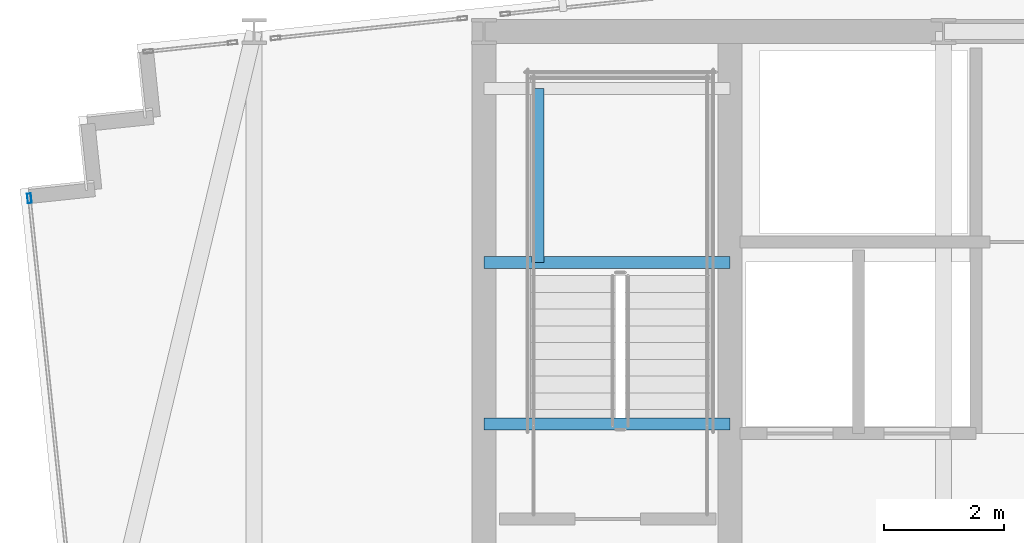
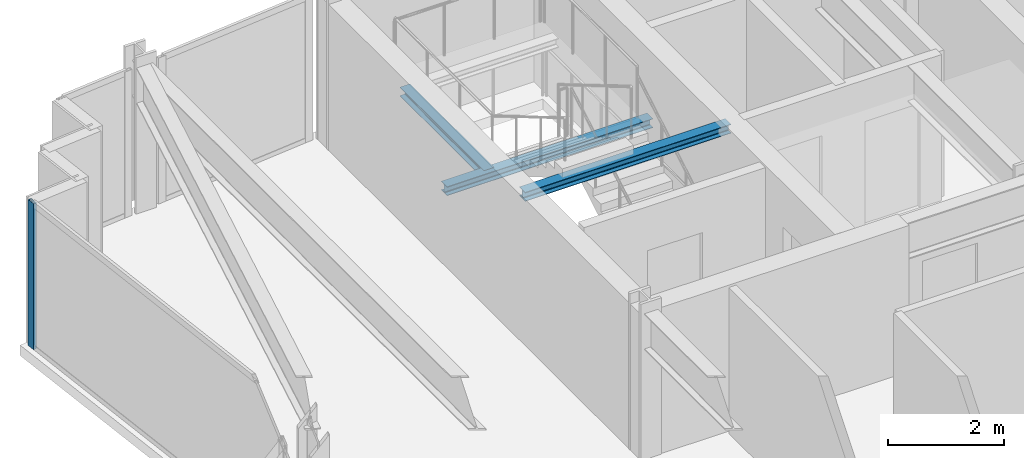
# One storey, part 12 of 33: 3 beams, 1 member, 1 element without a shape of its own.
"""IFC4 building model written with IfcOpenShell, lengths in metres."""

import ifcopenshell
import ifcopenshell.guid

model = None  # the IFC model being written
_history = None  # IfcOwnerHistory: only IFC2X3 demands one
_inside = {}  # id of a spatial element -> (the spatial element, [elements in it])
_under = {}  # id of a project, library or spatial element -> (it, [spatial elements below it])
_declared = {}  # id of a project -> (the project, [libraries it declares])
_typed = {}  # id of a type object -> (the type object, [elements of that type])
_made_of = {}  # id of a material, layer set ... -> (it, [elements and type objects made of it])


def new_model(schema):
    """Start an empty IFC model of exactly this schema.

    Asked for "IFC4X3", IfcOpenShell would pick the latest addendum, in which some entities
    have other attributes; the version numbers below select the first issue.
    IFC2X3 requires an IfcOwnerHistory on every rooted entity: one is made here for all.
    """
    global model, _history
    if schema == "IFC4X3":
        model = ifcopenshell.file(schema_version=(4, 3, 0, 0))
    else:
        model = ifcopenshell.file(schema=schema)
    _inside.clear()
    _under.clear()
    _declared.clear()
    _typed.clear()
    _made_of.clear()
    _history = None
    if model.schema == "IFC2X3":
        org = make("IfcOrganization", Name="unknown")
        user = make(
            "IfcPersonAndOrganization",
            ThePerson=make("IfcPerson", FamilyName="unknown"),
            TheOrganization=org,
        )
        app = make(
            "IfcApplication",
            ApplicationDeveloper=org,
            Version="unknown",
            ApplicationFullName="unknown",
            ApplicationIdentifier="unknown",
        )
        _history = make(
            "IfcOwnerHistory",
            OwningUser=user,
            OwningApplication=app,
            ChangeAction="ADDED",
            CreationDate=0,
        )
    return model


def make(cls, **values):
    """One entity of the class cls with the attributes given. An attribute that is None is left unset."""
    return model.create_entity(
        cls, **{name: value for name, value in values.items() if value is not None}
    )


def rooted(cls, **values):
    """An entity with a GlobalId (a new one), such as an element, a storey or a relation."""
    return make(cls, GlobalId=ifcopenshell.guid.new(), OwnerHistory=_history, **values)


def si_unit(unit_type, name, prefix=None):
    """IfcSIUnit, for example si_unit("LENGTHUNIT", "METRE", prefix="MILLI")."""
    return make("IfcSIUnit", UnitType=unit_type, Prefix=prefix, Name=name)


def assignment(units):
    """IfcUnitAssignment: the units of a project."""
    return None if units is None else make("IfcUnitAssignment", Units=units)


def point(xyz):
    """IfcCartesianPoint."""
    return None if xyz is None else make("IfcCartesianPoint", Coordinates=xyz)


def direction(xyz):
    """IfcDirection."""
    return None if xyz is None else make("IfcDirection", DirectionRatios=xyz)


def frame(location, z_axis=None, x_axis=None):
    """IfcAxis2Placement3D, a coordinate frame: its origin and axes. An axis left out is left unset."""
    return make(
        "IfcAxis2Placement3D",
        Location=point(location),
        Axis=direction(z_axis),
        RefDirection=direction(x_axis),
    )


def frame_2d(location, x_axis=None):
    """IfcAxis2Placement2D, a coordinate frame in the plane: its origin and x axis."""
    return make(
        "IfcAxis2Placement2D", Location=point(location), RefDirection=direction(x_axis)
    )


def origin():
    """The frame at (0, 0, 0) with its axes left unset."""
    return frame((0.0, 0.0, 0.0))


def origin_2d():
    """The frame at (0, 0) in the plane with its x axis left unset."""
    return frame_2d((0.0, 0.0))


def place(relative_to, where):
    """IfcLocalPlacement: puts the frame where relative to a parent placement (None: the world)."""
    return make(
        "IfcLocalPlacement", PlacementRelTo=relative_to, RelativePlacement=where
    )


def context(
    kind, dimensions, precision=None, world=None, true_north=None, identifier=None
):
    """IfcGeometricRepresentationContext, for example the 3D "Model" context."""
    return make(
        "IfcGeometricRepresentationContext",
        ContextIdentifier=identifier,
        ContextType=kind,
        CoordinateSpaceDimension=dimensions,
        Precision=precision,
        WorldCoordinateSystem=world,
        TrueNorth=true_north,
    )


def subcontext(parent, identifier, kind, view, scale=None):
    """IfcGeometricRepresentationSubContext, for example "Body" below "Model"."""
    return make(
        "IfcGeometricRepresentationSubContext",
        ContextIdentifier=identifier,
        ContextType=kind,
        ParentContext=parent,
        TargetScale=scale,
        TargetView=view,
    )


def project(units=None, contexts=None):
    """IfcProject with its units and contexts."""
    return rooted(
        "IfcProject",
        Name="project",
        RepresentationContexts=contexts,
        UnitsInContext=assignment(units),
    )


def spatial(cls, under=None, at=None, **own):
    """A site, building, storey or space (cls), placed at a placement, below another one or the project."""
    s = rooted(cls, ObjectPlacement=at, **own)
    if under is not None:
        _under.setdefault(under.id(), (under, []))[1].append(s)
    return s


def profile(cls, at=None, kind="AREA", **sizes):
    """A parametric profile (cls). Its sizes go by their IFC names, for example OverallWidth=200.0."""
    return make(cls, ProfileType=kind, Position=at, **sizes)


def hollow_rectangle(**sizes):
    """IfcRectangleHollowProfileDef."""
    return profile("IfcRectangleHollowProfileDef", **sizes)


def i_section(**sizes):
    """IfcIShapeProfileDef."""
    return profile("IfcIShapeProfileDef", **sizes)


def extrude(swept, where, along, depth):
    """IfcExtrudedAreaSolid: the profile swept, set in the frame where, extruded along a direction by depth."""
    return make(
        "IfcExtrudedAreaSolid",
        SweptArea=swept,
        Position=where,
        ExtrudedDirection=direction(along),
        Depth=depth,
    )


def shape(context_of_items, identifier, shape_type, items):
    """IfcShapeRepresentation: the items that make up one representation, for example the "Body"."""
    return make(
        "IfcShapeRepresentation",
        ContextOfItems=context_of_items,
        RepresentationIdentifier=identifier,
        RepresentationType=shape_type,
        Items=items,
    )


def material(Name=None, Category=None):
    """IfcMaterial."""
    return make("IfcMaterial", Name=Name, Category=Category)


def material_profile(
    of_material, cross_section, Name=None, Category=None, Priority=None
):
    """IfcMaterialProfile: a cross section and its material."""
    return make(
        "IfcMaterialProfile",
        Name=Name,
        Material=of_material,
        Profile=cross_section,
        Priority=Priority,
        Category=Category,
    )


def profile_set(profiles, Name=None, composite=None):
    """IfcMaterialProfileSet."""
    return make(
        "IfcMaterialProfileSet",
        Name=Name,
        MaterialProfiles=profiles,
        CompositeProfile=composite,
    )


def made_of(thing, what):
    """Note that an element or type object is made of a material, layer set ...; save() writes the relation."""
    if what is not None:
        _made_of.setdefault(what.id(), (what, []))[1].append(thing)
    return thing


def type_object(cls, material=None, **own):
    """A type object (cls), such as IfcWallType, which elements share."""
    return made_of(rooted(cls, **own), material)


def element(
    cls,
    number,
    at=None,
    inside=None,
    cuts=None,
    type_object=None,
    material=None,
    context=None,
    identifier="Body",
    shape_type=None,
    held_by="IfcProductDefinitionShape",
    body=None,
    shapes=None,
    **own,
):
    """One element of the class cls, such as IfcWall. Its Tag is "e" and its number.

    at: its placement. inside: the storey or other place that contains it. cuts: it is an
    opening in that element (IfcRelVoidsElement). A single representation is given by context,
    identifier, shape_type and body (its items); several are given by shapes. held_by: the class
    of the entity that holds the representations. save() writes the other relations.
    """
    e = rooted(cls, Tag="e%d" % number, ObjectPlacement=at, **own)
    if body is not None:
        shapes = [shape(context, identifier, shape_type, body)]
    if shapes is not None:
        e.Representation = make(held_by, Representations=shapes)
    if inside is not None:
        _inside.setdefault(inside.id(), (inside, []))[1].append(e)
    if cuts is not None:
        rooted(
            "IfcRelVoidsElement", RelatingBuildingElement=cuts, RelatedOpeningElement=e
        )
    if type_object is not None:
        _typed.setdefault(type_object.id(), (type_object, []))[1].append(e)
    return made_of(e, material)


def aggregate(whole, parts):
    """IfcRelAggregates: a whole, such as a stair, and the parts it consists of."""
    return rooted("IfcRelAggregates", RelatingObject=whole, RelatedObjects=parts)


def save(model, path):
    """Write the relations noted so far, then the file.

    IfcRelAggregates (storeys below a building ...), IfcRelContainedInSpatialStructure (elements
    in a storey), IfcRelDefinesByType, IfcRelAssociatesMaterial and IfcRelDeclares: one each for
    every whole, place, type object, material and project.
    """
    for whole, parts in _under.values():
        aggregate(whole, parts)
    for where, things in _inside.values():
        rooted(
            "IfcRelContainedInSpatialStructure",
            RelatedElements=things,
            RelatingStructure=where,
        )
    for kind, things in _typed.values():
        rooted("IfcRelDefinesByType", RelatedObjects=things, RelatingType=kind)
    for what, things in _made_of.values():
        rooted("IfcRelAssociatesMaterial", RelatedObjects=things, RelatingMaterial=what)
    for by, libraries in _declared.values():
        rooted("IfcRelDeclares", RelatingContext=by, RelatedDefinitions=libraries)
    model.write(path)


model = new_model("IFC4")

# Units and contexts
model_context = context("Model", 3, precision=1e-05, world=origin(), true_north=direction((0.0, 1.0)))
body_context = subcontext(model_context, "Body", "Model", "MODEL_VIEW")
ifc_project = project(units=[si_unit("LENGTHUNIT", "METRE"), si_unit("AREAUNIT", "SQUARE_METRE"), si_unit("VOLUMEUNIT", "CUBIC_METRE"), si_unit("PLANEANGLEUNIT", "RADIAN"), si_unit("MASSUNIT", "GRAM", prefix="KILO")], contexts=[model_context])

# Site, building, storey
site_placement = place(None, origin())
site = spatial("IfcSite", under=ifc_project, at=site_placement, CompositionType="ELEMENT")
building_placement = place(site_placement, origin())
building = spatial("IfcBuilding", under=site, at=building_placement, Name="Yelkora Congress Tower", CompositionType="ELEMENT")
storey_placement = place(building_placement, frame((0.0, 0.0, 237.5)))
storey = spatial("IfcBuildingStorey", under=building, at=storey_placement, Name="L66", CompositionType="ELEMENT", Elevation=237.5)

# Beams
ifc_material_1 = material(Name="Steel S355J2", Category="steel")
ifc_material_profile_1 = material_profile(ifc_material_1, i_section(OverallWidth=0.199951171875, OverallDepth=0.18994140625, WebThickness=0.006591796875, FlangeThickness=0.010009765625, FilletRadius=0.01806640625, at=origin_2d()), Name="HEA 200")
ifc_profile_set_1 = profile_set([ifc_material_profile_1], Name="Steel S355J2")
beam_type = type_object("IfcBeamType", Name="BM-LAND-HEA200", PredefinedType="BEAM", material=ifc_profile_set_1)
beam_1_placement = place(storey_placement, frame((23.0400390625, 42.340087890625, 1.334716796875), z_axis=(1.0, 0.0, 0.0), x_axis=(0.0, 1.0, 0.0)))
element("IfcBeam", 1, at=beam_1_placement, inside=storey, type_object=beam_type, Name="ST-01 L66 Landing Header Beam 1S", PredefinedType="BEAM", context=body_context, shape_type="SweptSolid", body=[
    extrude(i_section(OverallWidth=0.199951171875, OverallDepth=0.18994140625, WebThickness=0.006591796875, FlangeThickness=0.010009765625, FilletRadius=0.01806640625, at=origin_2d()), origin(), (0.0, 0.0, 1.0), 4.10986328125),
])
beam_2_placement = place(storey_placement, frame((23.93994140625, 42.340087890625, 1.334716796875), z_axis=(0.0, 1.0, 0.0), x_axis=(-1.0, 0.0, 0.0)))
element("IfcBeam", 2, at=beam_2_placement, inside=storey, type_object=beam_type, Name="ST-01 L66 Landing Trimmer Beam 1M", PredefinedType="BEAM", context=body_context, shape_type="SweptSolid", body=[
    extrude(i_section(OverallWidth=0.199951171875, OverallDepth=0.18994140625, WebThickness=0.006591796875, FlangeThickness=0.010009765625, FilletRadius=0.01806640625, at=origin_2d()), origin(), (0.0, 0.0, 1.0), 2.909912109375),
])
beam_3_placement = place(storey_placement, frame((23.0400390625, 39.639892578125, 2.85400390625), z_axis=(1.0, 0.0, 0.0), x_axis=(0.0, 1.0, 0.0)))
element("IfcBeam", 3, at=beam_3_placement, inside=storey, type_object=beam_type, Name="ST-01 L66 Floor Arrival Stringer Header Beam", PredefinedType="BEAM", context=body_context, shape_type="SweptSolid", body=[
    extrude(i_section(OverallWidth=0.199951171875, OverallDepth=0.18994140625, WebThickness=0.006591796875, FlangeThickness=0.010009765625, FilletRadius=0.01806640625, at=origin_2d()), origin(), (0.0, 0.0, 1.0), 4.10986328125),
])

# Curtain wall, member
ifc_material_2 = material(Name="Anodised aluminium and insulated glass", Category="aluminium")
curtain_wall_type = type_object("IfcCurtainWallType", Name="CW-SYS-B4", PredefinedType="NOTDEFINED", material=ifc_material_2)
curtain_wall_placement = place(storey_placement, origin())
curtain_wall = element("IfcCurtainWall", 4, at=curtain_wall_placement, inside=storey, type_object=curtain_wall_type, Name="L66 Unitised Curtain Wall 5", PredefinedType="NOTDEFINED")
ifc_material_3 = material(Name="Anodised aluminium 6063-T6", Category="aluminium")
ifc_material_profile_2 = material_profile(ifc_material_3, hollow_rectangle(XDim=0.06494140625, YDim=0.159912109375, WallThickness=0.00390625, at=origin_2d()), Name="ALU 65x160x4")
ifc_profile_set_2 = profile_set([ifc_material_profile_2], Name="Anodised aluminium 6063-T6")
member_type = type_object("IfcMemberType", Name="MEM-ML-B4", PredefinedType="MULLION", material=ifc_profile_set_2)
member_placement = place(storey_placement, frame((15.444580078125, 43.412353515625, 0.0), z_axis=(0.0, 0.0, 1.0), x_axis=(-0.994522145958, -0.104526079034, 0.0)))
member = element("IfcMember", 5, at=member_placement, type_object=member_type, Name="CW-B4 mullion 5", PredefinedType="MULLION", context=body_context, shape_type="SweptSolid", body=[
    extrude(hollow_rectangle(XDim=0.06494140625, YDim=0.159912109375, WallThickness=0.00390625, at=origin_2d()), origin(), (0.0, 0.0, 1.0), 3.080078125),
])
aggregate(curtain_wall, [member])

save(model, "model.ifc")
